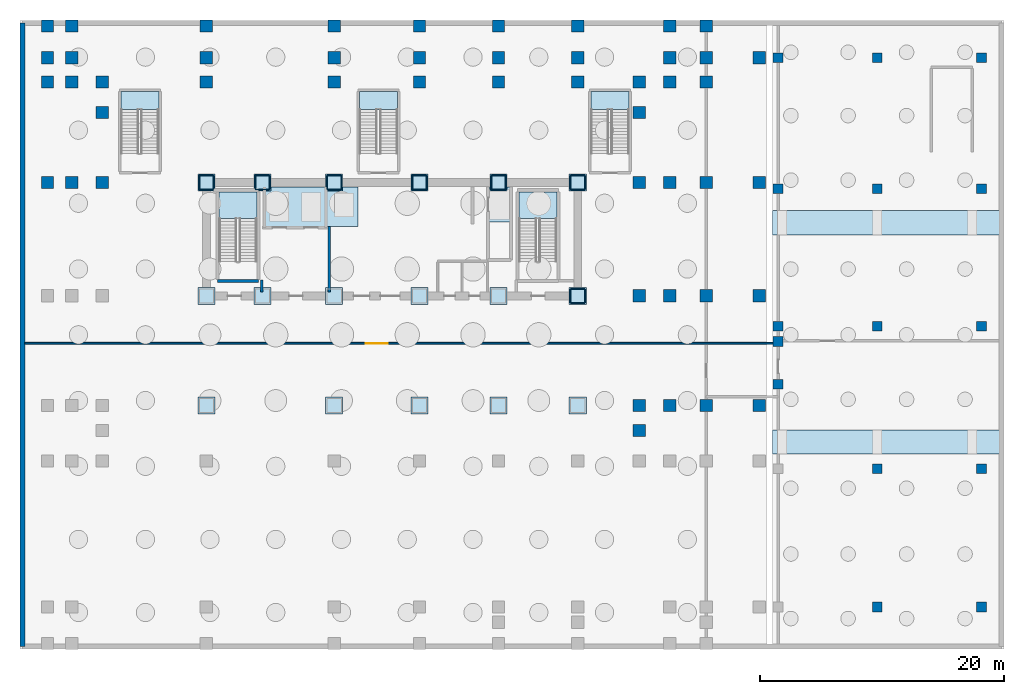
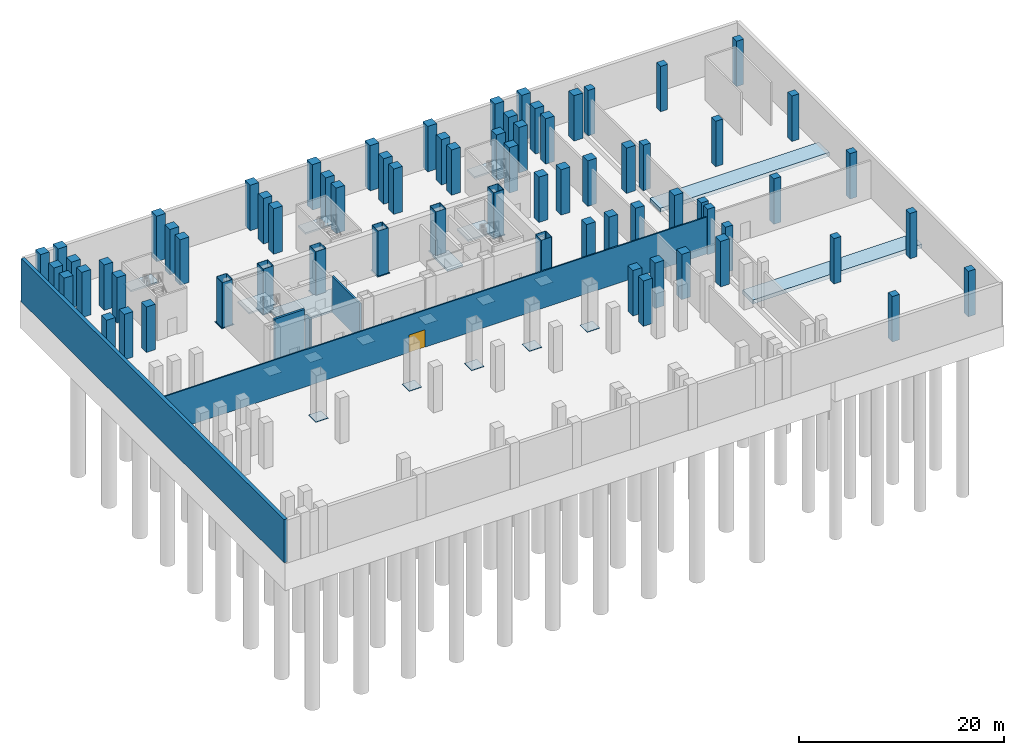
# One storey, part 2 of 8: 70 columns, 17 plates, 9 slabs, 5 walls, 1 door, 1 opening, 5 elements without a shape of their own.
"""IFC4 building model written with IfcOpenShell, lengths in metres."""

from ifc_helpers import new_model, si_unit, direction, frame, frame_2d, origin, origin_2d, place, context, subcontext, project, spatial, polyline, rectangle, hollow_rectangle, outline, extrude, material, layer, layer_set, material_profile, profile_set, type_object, element, fill, aggregate, save


model = new_model("IFC4")

# Units and contexts
model_context = context("Model", 3, precision=1e-05, world=origin(), true_north=direction((0.0, 1.0)))
body_context = subcontext(model_context, "Body", "Model", "MODEL_VIEW")
ifc_project = project(units=[si_unit("LENGTHUNIT", "METRE"), si_unit("AREAUNIT", "SQUARE_METRE"), si_unit("VOLUMEUNIT", "CUBIC_METRE"), si_unit("PLANEANGLEUNIT", "RADIAN"), si_unit("MASSUNIT", "GRAM", prefix="KILO")], contexts=[model_context])

# Site, building, storey
site_placement = place(None, origin())
site = spatial("IfcSite", under=ifc_project, at=site_placement, CompositionType="ELEMENT")
building_placement = place(site_placement, origin())
building = spatial("IfcBuilding", under=site, at=building_placement, Name="Noeulbin Bourse Tower", CompositionType="ELEMENT")
storey_placement = place(building_placement, frame((0.0, 0.0, -15.60009765625)))
storey = spatial("IfcBuildingStorey", under=building, at=storey_placement, Name="B03", CompositionType="ELEMENT", Elevation=-15.60009765625)

# Columns
ifc_material_1 = material(Name="Concrete C40/50", Category="concrete")
ifc_material_profile_1 = material_profile(ifc_material_1, rectangle(XDim=0.800048828125, YDim=0.800048828125, at=origin_2d()), Name="RC-COL-800x800", Category="LoadBearing")
ifc_profile_set_1 = profile_set([ifc_material_profile_1], Name="Concrete C40/50")
column_type_1 = type_object("IfcColumnType", Name="COL-MKT-RC", PredefinedType="COLUMN", material=ifc_profile_set_1)
for number, where, z_axis, x_axis, name in (
    (1, (60.449951171875, 21.75, 0.0), (0.0, 0.0, 1.0), (1.0, 0.0, 0.0), "Market Hall Column COL-MKT-RC 03"),
    (2, (60.449951171875, 25.25, 0.0), (0.0, 0.0, 1.0), (1.0, 0.0, 0.0), "Market Hall Column COL-MKT-RC 04"),
    (3, (60.449951171875, 26.5, 0.0), (0.0, 0.0, 1.0), (1.0, 0.0, 0.0), "Market Hall Column COL-MKT-RC 05"),
    (4, (60.449951171875, 37.800048828125, 0.0), (0.0, 0.0, 1.0), (1.0, 0.0, 0.0), "Market Hall Column COL-MKT-RC 06"),
    (5, (60.449951171875, 48.550048828125, 0.0), (0.0, 0.0, 1.0), (1.0, 0.0, 0.0), "Market Hall Column COL-MKT-RC 07"),
    (6, (68.60009765625, 3.449951171875, 0.0), (0.0, 0.0, 1.0), (1.0, 0.0, 0.0), "Market Hall Column COL-MKT-RC 08"),
    (7, (68.60009765625, 14.800048828125, 0.0), (0.0, 0.0, 1.0), (1.0, 0.0, 0.0), "Market Hall Column COL-MKT-RC 09"),
    (8, (68.60009765625, 26.5, 0.0), (0.0, 0.0, 1.0), (1.0, 0.0, 0.0), "Market Hall Column COL-MKT-RC 10"),
    (9, (68.60009765625, 37.800048828125, 0.0), (0.0, 0.0, 1.0), (1.0, 0.0, 0.0), "Market Hall Column COL-MKT-RC 11"),
    (10, (68.60009765625, 48.550048828125, 0.0), (0.0, 0.0, 1.0), (1.0, 0.0, 0.0), "Market Hall Column COL-MKT-RC 12"),
    (11, (77.14990234375, 3.449951171875, 0.0), (0.0, 0.0, 1.0), (1.0, 0.0, 0.0), "Market Hall Column COL-MKT-RC 13"),
    (12, (77.14990234375, 14.800048828125, 0.0), (0.0, 0.0, 1.0), (1.0, 0.0, 0.0), "Market Hall Column COL-MKT-RC 14"),
    (13, (77.14990234375, 26.5, 0.0), (0.0, 0.0, 1.0), (1.0, 0.0, 0.0), "Market Hall Column COL-MKT-RC 15"),
    (14, (77.14990234375, 37.800048828125, 0.0), (0.0, 0.0, 1.0), (1.0, 0.0, 0.0), "Market Hall Column COL-MKT-RC 16"),
    (15, (77.14990234375, 48.550048828125, 0.0), (0.0, 0.0, 1.0), (1.0, 0.0, 0.0), "Market Hall Column COL-MKT-RC 17"),
):
    element("IfcColumn", number, at=place(storey_placement, frame(where, z_axis=z_axis, x_axis=x_axis)), inside=storey, type_object=column_type_1, Name=name, PredefinedType="COLUMN", context=body_context, shape_type="SweptSolid", body=[
        extrude(rectangle(XDim=0.800048828125, YDim=0.800048828125, at=origin_2d()), origin(), (0.0, 0.0, 1.0), 5.400146484375),
    ])
ifc_material_2 = material(Name="Concrete C50/60", Category="concrete")
ifc_material_profile_2 = material_profile(ifc_material_2, rectangle(XDim=1.0, YDim=1.0, at=origin_2d()), Name="RC-COL-1000x1000", Category="LoadBearing")
ifc_profile_set_2 = profile_set([ifc_material_profile_2], Name="Concrete C50/60")
column_type_2 = type_object("IfcColumnType", Name="COL-STN-RC", PredefinedType="COLUMN", material=ifc_profile_set_2)
for number, where, z_axis, x_axis, name in (
    (16, (0.449951171875, 38.300048828125, 0.0), (0.0, 0.0, 1.0), (1.0, 0.0, 0.0), "Podium Column COL-STN-RC 06"),
    (17, (0.449951171875, 46.550048828125, 0.0), (0.0, 0.0, 1.0), (1.0, 0.0, 0.0), "Podium Column COL-STN-RC 07"),
    (18, (0.449951171875, 48.550048828125, 0.0), (0.0, 0.0, 1.0), (1.0, 0.0, 0.0), "Podium Column COL-STN-RC 08"),
    (19, (0.449951171875, 51.14990234375, 0.0), (0.0, 0.0, 1.0), (1.0, 0.0, 0.0), "Podium Column COL-STN-RC 09"),
    (20, (2.449951171875, 38.300048828125, 0.0), (0.0, 0.0, 1.0), (1.0, 0.0, 0.0), "Podium Column COL-STN-RC 15"),
    (21, (2.449951171875, 46.550048828125, 0.0), (0.0, 0.0, 1.0), (1.0, 0.0, 0.0), "Podium Column COL-STN-RC 16"),
    (22, (2.449951171875, 48.550048828125, 0.0), (0.0, 0.0, 1.0), (1.0, 0.0, 0.0), "Podium Column COL-STN-RC 17"),
    (23, (2.449951171875, 51.14990234375, 0.0), (0.0, 0.0, 1.0), (1.0, 0.0, 0.0), "Podium Column COL-STN-RC 18"),
    (24, (4.949951171875, 38.300048828125, 0.0), (0.0, 0.0, 1.0), (1.0, 0.0, 0.0), "Podium Column COL-STN-RC 23"),
    (25, (4.949951171875, 44.050048828125, 0.0), (0.0, 0.0, 1.0), (1.0, 0.0, 0.0), "Podium Column COL-STN-RC 24"),
    (26, (4.949951171875, 46.550048828125, 0.0), (0.0, 0.0, 1.0), (1.0, 0.0, 0.0), "Podium Column COL-STN-RC 25"),
    (27, (13.5, 46.550048828125, 0.0), (0.0, 0.0, 1.0), (1.0, 0.0, 0.0), "Podium Column COL-STN-RC 29"),
    (28, (13.5, 48.550048828125, 0.0), (0.0, 0.0, 1.0), (1.0, 0.0, 0.0), "Podium Column COL-STN-RC 30"),
    (29, (13.5, 51.14990234375, 0.0), (0.0, 0.0, 1.0), (1.0, 0.0, 0.0), "Podium Column COL-STN-RC 31"),
    (30, (24.0, 46.550048828125, 0.0), (0.0, 0.0, 1.0), (1.0, 0.0, 0.0), "Podium Column COL-STN-RC 35"),
    (31, (24.0, 48.550048828125, 0.0), (0.0, 0.0, 1.0), (1.0, 0.0, 0.0), "Podium Column COL-STN-RC 36"),
    (32, (24.0, 51.14990234375, 0.0), (0.0, 0.0, 1.0), (1.0, 0.0, 0.0), "Podium Column COL-STN-RC 37"),
    (33, (31.0, 46.550048828125, 0.0), (0.0, 0.0, 1.0), (1.0, 0.0, 0.0), "Podium Column COL-STN-RC 41"),
    (34, (31.0, 48.550048828125, 0.0), (0.0, 0.0, 1.0), (1.0, 0.0, 0.0), "Podium Column COL-STN-RC 42"),
    (35, (31.0, 51.14990234375, 0.0), (0.0, 0.0, 1.0), (1.0, 0.0, 0.0), "Podium Column COL-STN-RC 43"),
    (36, (37.5, 46.550048828125, 0.0), (0.0, 0.0, 1.0), (1.0, 0.0, 0.0), "Podium Column COL-STN-RC 48"),
    (37, (37.5, 48.550048828125, 0.0), (0.0, 0.0, 1.0), (1.0, 0.0, 0.0), "Podium Column COL-STN-RC 49"),
    (38, (37.5, 51.14990234375, 0.0), (0.0, 0.0, 1.0), (1.0, 0.0, 0.0), "Podium Column COL-STN-RC 50"),
    (39, (44.0, 46.550048828125, 0.0), (0.0, 0.0, 1.0), (1.0, 0.0, 0.0), "Podium Column COL-STN-RC 55"),
    (40, (44.0, 48.550048828125, 0.0), (0.0, 0.0, 1.0), (1.0, 0.0, 0.0), "Podium Column COL-STN-RC 56"),
    (41, (44.0, 51.14990234375, 0.0), (0.0, 0.0, 1.0), (1.0, 0.0, 0.0), "Podium Column COL-STN-RC 57"),
    (42, (49.050048828125, 17.949951171875, 0.0), (0.0, 0.0, 1.0), (1.0, 0.0, 0.0), "Podium Column COL-STN-RC 59"),
    (43, (49.050048828125, 20.0, 0.0), (0.0, 0.0, 1.0), (1.0, 0.0, 0.0), "Podium Column COL-STN-RC 60"),
    (44, (49.050048828125, 29.0, 0.0), (0.0, 0.0, 1.0), (1.0, 0.0, 0.0), "Podium Column COL-STN-RC 61"),
    (45, (49.050048828125, 38.300048828125, 0.0), (0.0, 0.0, 1.0), (1.0, 0.0, 0.0), "Podium Column COL-STN-RC 62"),
    (46, (49.050048828125, 44.050048828125, 0.0), (0.0, 0.0, 1.0), (1.0, 0.0, 0.0), "Podium Column COL-STN-RC 63"),
    (47, (49.050048828125, 46.550048828125, 0.0), (0.0, 0.0, 1.0), (1.0, 0.0, 0.0), "Podium Column COL-STN-RC 64"),
    (48, (51.550048828125, 20.0, 0.0), (0.0, 0.0, 1.0), (1.0, 0.0, 0.0), "Podium Column COL-STN-RC 68"),
    (49, (51.550048828125, 29.0, 0.0), (0.0, 0.0, 1.0), (1.0, 0.0, 0.0), "Podium Column COL-STN-RC 69"),
    (50, (51.550048828125, 38.300048828125, 0.0), (0.0, 0.0, 1.0), (1.0, 0.0, 0.0), "Podium Column COL-STN-RC 70"),
    (51, (51.550048828125, 46.550048828125, 0.0), (0.0, 0.0, 1.0), (1.0, 0.0, 0.0), "Podium Column COL-STN-RC 71"),
    (52, (51.550048828125, 48.550048828125, 0.0), (0.0, 0.0, 1.0), (1.0, 0.0, 0.0), "Podium Column COL-STN-RC 72"),
    (53, (51.550048828125, 51.14990234375, 0.0), (0.0, 0.0, 1.0), (1.0, 0.0, 0.0), "Podium Column COL-STN-RC 73"),
    (54, (54.550048828125, 20.0, 0.0), (0.0, 0.0, 1.0), (1.0, 0.0, 0.0), "Podium Column COL-STN-RC 78"),
    (55, (54.550048828125, 29.0, 0.0), (0.0, 0.0, 1.0), (1.0, 0.0, 0.0), "Podium Column COL-STN-RC 79"),
    (56, (54.550048828125, 38.300048828125, 0.0), (0.0, 0.0, 1.0), (1.0, 0.0, 0.0), "Podium Column COL-STN-RC 80"),
    (57, (54.550048828125, 46.550048828125, 0.0), (0.0, 0.0, 1.0), (1.0, 0.0, 0.0), "Podium Column COL-STN-RC 81"),
    (58, (54.550048828125, 48.550048828125, 0.0), (0.0, 0.0, 1.0), (1.0, 0.0, 0.0), "Podium Column COL-STN-RC 82"),
    (59, (54.550048828125, 51.14990234375, 0.0), (0.0, 0.0, 1.0), (1.0, 0.0, 0.0), "Podium Column COL-STN-RC 83"),
    (60, (58.89990234375, 20.0, 0.0), (0.0, 0.0, 1.0), (1.0, 0.0, 0.0), "Podium Column COL-STN-RC 86"),
    (61, (58.89990234375, 29.0, 0.0), (0.0, 0.0, 1.0), (1.0, 0.0, 0.0), "Podium Column COL-STN-RC 87"),
    (62, (58.89990234375, 38.300048828125, 0.0), (0.0, 0.0, 1.0), (1.0, 0.0, 0.0), "Podium Column COL-STN-RC 88"),
    (63, (58.89990234375, 48.550048828125, 0.0), (0.0, 0.0, 1.0), (1.0, 0.0, 0.0), "Podium Column COL-STN-RC 89"),
):
    element("IfcColumn", number, at=place(storey_placement, frame(where, z_axis=z_axis, x_axis=x_axis)), inside=storey, type_object=column_type_2, Name=name, PredefinedType="COLUMN", context=body_context, shape_type="SweptSolid", body=[
        extrude(rectangle(XDim=1.0, YDim=1.0, at=origin_2d()), origin(), (0.0, 0.0, 1.0), 5.400146484375),
    ])
ifc_material_3 = material(Name="Steel S460", Category="steel")
ifc_material_profile_3 = material_profile(ifc_material_3, hollow_rectangle(XDim=1.199951171875, YDim=1.199951171875, WallThickness=0.0400390625, InnerFilletRadius=0.02001953125, OuterFilletRadius=0.06005859375, at=origin_2d()), Name="BOX-1200x1200x40", Category="LoadBearing")
ifc_profile_set_3 = profile_set([ifc_material_profile_3], Name="Steel S460")
column_type_3 = type_object("IfcColumnType", Name="COL-TRK-Z0", PredefinedType="COLUMN", material=ifc_profile_set_3)
for number, where, z_axis, x_axis, name in (
    (64, (13.5, 38.300048828125, 0.0), (0.0, 0.0, 1.0), (1.0, 0.0, 0.0), "Tower Trunk Mega-Column COL-TRK-Z0 02"),
    (65, (18.10009765625, 38.300048828125, 0.0), (0.0, 0.0, 1.0), (1.0, 0.0, 0.0), "Tower Trunk Mega-Column COL-TRK-Z0 04"),
    (66, (24.0, 38.300048828125, 0.0), (0.0, 0.0, 1.0), (1.0, 0.0, 0.0), "Tower Trunk Mega-Column COL-TRK-Z0 06"),
    (67, (31.0, 38.300048828125, 0.0), (0.0, 0.0, 1.0), (1.0, 0.0, 0.0), "Tower Trunk Mega-Column COL-TRK-Z0 08"),
    (68, (37.5, 38.300048828125, 0.0), (0.0, 0.0, 1.0), (1.0, 0.0, 0.0), "Tower Trunk Mega-Column COL-TRK-Z0 10"),
    (69, (44.0, 29.0, 0.0), (0.0, 0.0, 1.0), (1.0, 0.0, 0.0), "Tower Trunk Mega-Column COL-TRK-Z0 11"),
    (70, (44.0, 38.300048828125, 0.0), (0.0, 0.0, 1.0), (1.0, 0.0, 0.0), "Tower Trunk Mega-Column COL-TRK-Z0 12"),
):
    element("IfcColumn", number, at=place(storey_placement, frame(where, z_axis=z_axis, x_axis=x_axis)), inside=storey, type_object=column_type_3, Name=name, PredefinedType="COLUMN", context=body_context, shape_type="SweptSolid", body=[
        extrude(hollow_rectangle(XDim=1.199951171875, YDim=1.199951171875, WallThickness=0.0400390625, InnerFilletRadius=0.02001953125, OuterFilletRadius=0.06005859375, at=origin_2d()), origin(), (0.0, 0.0, 1.0), 5.400146484375),
    ])

# Plates
ifc_layer_1 = layer(ifc_material_3, 0.0400390625)
ifc_layer_set_1 = layer_set([ifc_layer_1], Name="Steel S460")
plate_type = type_object("IfcPlateType", Name="PLT-TN1", PredefinedType="USERDEFINED", material=ifc_layer_set_1)
for number, where, z_axis, x_axis, name in (
    (71, (13.5, 29.0, 0.0), (0.0, 0.0, 1.0), (1.0, 0.0, 0.0), "Mega-Column Base Plate TN1-01"),
    (72, (13.5, 38.300048828125, 0.0), (0.0, 0.0, 1.0), (1.0, 0.0, 0.0), "Mega-Column Base Plate TN1-02"),
    (73, (18.10009765625, 29.0, 0.0), (0.0, 0.0, 1.0), (1.0, 0.0, 0.0), "Mega-Column Base Plate TN1-03"),
    (74, (18.10009765625, 38.300048828125, 0.0), (0.0, 0.0, 1.0), (1.0, 0.0, 0.0), "Mega-Column Base Plate TN1-04"),
    (75, (24.0, 29.0, 0.0), (0.0, 0.0, 1.0), (1.0, 0.0, 0.0), "Mega-Column Base Plate TN1-05"),
    (76, (24.0, 38.300048828125, 0.0), (0.0, 0.0, 1.0), (1.0, 0.0, 0.0), "Mega-Column Base Plate TN1-06"),
    (77, (31.0, 29.0, 0.0), (0.0, 0.0, 1.0), (1.0, 0.0, 0.0), "Mega-Column Base Plate TN1-07"),
    (78, (31.0, 38.300048828125, 0.0), (0.0, 0.0, 1.0), (1.0, 0.0, 0.0), "Mega-Column Base Plate TN1-08"),
    (79, (37.5, 29.0, 0.0), (0.0, 0.0, 1.0), (1.0, 0.0, 0.0), "Mega-Column Base Plate TN1-09"),
    (80, (37.5, 38.300048828125, 0.0), (0.0, 0.0, 1.0), (1.0, 0.0, 0.0), "Mega-Column Base Plate TN1-10"),
    (81, (44.0, 29.0, 0.0), (0.0, 0.0, 1.0), (1.0, 0.0, 0.0), "Mega-Column Base Plate TN1-11"),
    (82, (44.0, 38.300048828125, 0.0), (0.0, 0.0, 1.0), (1.0, 0.0, 0.0), "Mega-Column Base Plate TN1-12"),
    (83, (13.5, 20.0, 0.0), (0.0, 0.0, 1.0), (1.0, 0.0, 0.0), "Mega-Column Base Plate TN1-13"),
    (84, (24.0, 20.0, 0.0), (0.0, 0.0, 1.0), (1.0, 0.0, 0.0), "Mega-Column Base Plate TN1-14"),
    (85, (31.0, 20.0, 0.0), (0.0, 0.0, 1.0), (1.0, 0.0, 0.0), "Mega-Column Base Plate TN1-15"),
    (86, (37.5, 20.0, 0.0), (0.0, 0.0, 1.0), (1.0, 0.0, 0.0), "Mega-Column Base Plate TN1-16"),
    (87, (44.0, 20.0, 0.0), (0.0, 0.0, 1.0), (1.0, 0.0, 0.0), "Mega-Column Base Plate TN1-17"),
):
    element("IfcPlate", number, at=place(storey_placement, frame(where, z_axis=z_axis, x_axis=x_axis)), inside=storey, type_object=plate_type, Name=name, ObjectType="BASE PLATE", PredefinedType="USERDEFINED", context=body_context, shape_type="SweptSolid", body=[
        extrude(rectangle(XDim=1.39990234375, YDim=1.39990234375, at=origin_2d()), origin(), (0.0, 0.0, 1.0), 0.0400390625),
    ])

# Slabs
ifc_layer_2 = layer(ifc_material_2, 0.449951171875)
ifc_layer_set_2 = layer_set([ifc_layer_2], Name="Concrete C50/60")
slab_type_1 = type_object("IfcSlabType", Name="SLB-BASE-450", PredefinedType="BASESLAB", material=ifc_layer_set_2)
slab_1_placement = place(storey_placement, frame((0.0, 0.0, -0.449951171875)))
element("IfcSlab", 88, at=slab_1_placement, inside=storey, type_object=slab_type_1, Name="Station Base Slab SLB-B03-BASE2", PredefinedType="BASESLAB", context=body_context, shape_type="SweptSolid", body=[
    extrude(outline(polyline([(60.0, 16.0), (79.0, 16.0), (79.0, 18.0), (60.0, 18.0), (60.0, 16.0)])), origin(), (0.0, 0.0, 1.0), 0.449951171875),
])
slab_2_placement = place(storey_placement, frame((0.0, 0.0, -0.449951171875)))
element("IfcSlab", 89, at=slab_2_placement, inside=storey, type_object=slab_type_1, Name="Station Base Slab SLB-B03-BASE3", PredefinedType="BASESLAB", context=body_context, shape_type="SweptSolid", body=[
    extrude(outline(polyline([(60.0, 34.0), (79.0, 34.0), (79.0, 36.0), (60.0, 36.0), (60.0, 34.0)])), origin(), (0.0, 0.0, 1.0), 0.449951171875),
])

# Stair, slab
stair_type_1 = type_object("IfcStairType", Name="STR-CORE-1560", PredefinedType="HALF_TURN_STAIR", material=ifc_material_1)
stair_1_placement = place(storey_placement, origin())
stair_1 = element("IfcStair", 90, at=stair_1_placement, inside=storey, type_object=stair_type_1, Name="B03 ST-1", PredefinedType="HALF_TURN_STAIR")
ifc_layer_3 = layer(ifc_material_1, 0.199951171875)
ifc_layer_set_3 = layer_set([ifc_layer_3], Name="Concrete C40/50")
slab_type_2 = type_object("IfcSlabType", Name="SLB-LND-200", PredefinedType="LANDING", material=ifc_layer_set_3)
slab_3_placement = place(storey_placement, frame((0.0, 0.0, 2.5)))
slab_3 = element("IfcSlab", 91, at=slab_3_placement, type_object=slab_type_2, Name="ST-1 landing 1", PredefinedType="LANDING", context=body_context, shape_type="SweptSolid", body=[
    extrude(outline(polyline([(17.64990234375, 35.337890625), (17.64990234375, 37.5439453125), (14.550048828125, 37.5439453125), (14.550048828125, 35.337890625), (17.64990234375, 35.337890625)])), origin(), (0.0, 0.0, 1.0), 0.2001953125),
])
aggregate(stair_1, [slab_3])

stair_2_placement = place(storey_placement, origin())
stair_2 = element("IfcStair", 92, at=stair_2_placement, inside=storey, type_object=stair_type_1, Name="B03 ST-2", PredefinedType="HALF_TURN_STAIR")
slab_4_placement = place(storey_placement, frame((0.0, 0.0, 2.5)))
slab_4 = element("IfcSlab", 93, at=slab_4_placement, type_object=slab_type_2, Name="ST-2 landing 1", PredefinedType="LANDING", context=body_context, shape_type="SweptSolid", body=[
    extrude(outline(polyline([(42.280029296875, 35.337890625), (42.280029296875, 37.5439453125), (39.179931640625, 37.5439453125), (39.179931640625, 35.337890625), (42.280029296875, 35.337890625)])), origin(), (0.0, 0.0, 1.0), 0.2001953125),
])
aggregate(stair_2, [slab_4])

stair_type_2 = type_object("IfcStairType", Name="STR-AUX-1620", PredefinedType="HALF_TURN_STAIR", material=ifc_material_1)
stair_3_placement = place(storey_placement, origin())
stair_3 = element("IfcStair", 94, at=stair_3_placement, inside=storey, type_object=stair_type_2, Name="B03 ST-S1", PredefinedType="HALF_TURN_STAIR")
slab_5_placement = place(storey_placement, frame((0.0, 0.0, 2.5)))
slab_5 = element("IfcSlab", 95, at=slab_5_placement, type_object=slab_type_2, Name="ST-S1 landing 1", PredefinedType="LANDING", context=body_context, shape_type="SweptSolid", body=[
    extrude(outline(polyline([(9.60009765625, 44.320068359375), (9.60009765625, 45.780029296875), (6.47998046875, 45.780029296875), (6.47998046875, 44.320068359375), (9.60009765625, 44.320068359375)])), origin(), (0.0, 0.0, 1.0), 0.2001953125),
])
aggregate(stair_3, [slab_5])

stair_4_placement = place(storey_placement, origin())
stair_4 = element("IfcStair", 96, at=stair_4_placement, inside=storey, type_object=stair_type_2, Name="B03 ST-S2", PredefinedType="HALF_TURN_STAIR")
slab_6_placement = place(storey_placement, frame((0.0, 0.0, 2.5)))
slab_6 = element("IfcSlab", 97, at=slab_6_placement, type_object=slab_type_2, Name="ST-S2 landing 1", PredefinedType="LANDING", context=body_context, shape_type="SweptSolid", body=[
    extrude(outline(polyline([(29.199951171875, 44.320068359375), (29.199951171875, 45.780029296875), (26.080078125, 45.780029296875), (26.080078125, 44.320068359375), (29.199951171875, 44.320068359375)])), origin(), (0.0, 0.0, 1.0), 0.2001953125),
])
aggregate(stair_4, [slab_6])

stair_5_placement = place(storey_placement, origin())
stair_5 = element("IfcStair", 98, at=stair_5_placement, inside=storey, type_object=stair_type_2, Name="B03 ST-S3", PredefinedType="HALF_TURN_STAIR")
slab_7_placement = place(storey_placement, frame((0.0, 0.0, 2.5)))
slab_7 = element("IfcSlab", 99, at=slab_7_placement, type_object=slab_type_2, Name="ST-S3 landing 1", PredefinedType="LANDING", context=body_context, shape_type="SweptSolid", body=[
    extrude(outline(polyline([(48.199951171875, 44.320068359375), (48.199951171875, 45.780029296875), (45.080078125, 45.780029296875), (45.080078125, 44.320068359375), (48.199951171875, 44.320068359375)])), origin(), (0.0, 0.0, 1.0), 0.2001953125),
])
aggregate(stair_5, [slab_7])

# Slabs
ifc_layer_4 = layer(ifc_material_1, 0.280029296875)
ifc_layer_set_4 = layer_set([ifc_layer_4], Name="Concrete C40/50")
slab_type_3 = type_object("IfcSlabType", Name="SLB-SUB-280", PredefinedType="FLOOR", material=ifc_layer_set_4)
slab_8_placement = place(storey_placement, origin())
element("IfcSlab", 100, at=slab_8_placement, inside=storey, type_object=slab_type_3, Name="Elevator Pit Base Slab West B03", PredefinedType="FLOOR", context=body_context, shape_type="SweptSolid", body=[
    extrude(outline(polyline([(18.35009765625, 34.699951171875), (25.949951171875, 34.699951171875), (25.949951171875, 37.949951171875), (18.35009765625, 37.949951171875), (18.35009765625, 34.699951171875)])), origin(), (0.0, 0.0, 1.0), 0.2001953125),
])
slab_9_placement = place(storey_placement, origin())
element("IfcSlab", 101, at=slab_9_placement, inside=storey, type_object=slab_type_3, Name="Elevator Pit Base Slab East B03", PredefinedType="FLOOR", context=body_context, shape_type="SweptSolid", body=[
    extrude(outline(polyline([(36.699951171875, 35.050048828125), (38.449951171875, 35.050048828125), (38.449951171875, 37.949951171875), (36.699951171875, 37.949951171875), (36.699951171875, 35.050048828125)])), origin(), (0.0, 0.0, 1.0), 0.2001953125),
])

# Walls
ifc_layer_5 = layer(ifc_material_1, 0.199951171875)
ifc_layer_set_5 = layer_set([ifc_layer_5], Name="Concrete C40/50")
wall_type_1 = type_object("IfcWallType", Name="WAL-FIRE-200", PredefinedType="STANDARD", material=ifc_layer_set_5)
wall_1_placement = place(storey_placement, frame((18.050048828125, 29.3349609375, 0.0), z_axis=(0.0, 0.0, 1.0), x_axis=(0.0, 1.0, 0.0)))
element("IfcWall", 102, at=wall_1_placement, inside=storey, type_object=wall_type_1, Name="Interior Partition Wall B03-08", PredefinedType="STANDARD", context=body_context, shape_type="SweptSolid", body=[
    extrude(rectangle(XDim=0.965087890625, YDim=0.199951171875, at=frame_2d((0.482421875, 0.0))), origin(), (0.0, 0.0, 1.0), 4.300048828125),
])
wall_2_placement = place(storey_placement, frame((23.60009765625, 29.3349609375, 0.0), z_axis=(0.0, 0.0, 1.0), x_axis=(0.0, 1.0, 0.0)))
element("IfcWall", 103, at=wall_2_placement, inside=storey, type_object=wall_type_1, Name="Interior Partition Wall B03-10", PredefinedType="STANDARD", context=body_context, shape_type="SweptSolid", body=[
    extrude(rectangle(XDim=5.364990234375, YDim=0.199951171875, at=frame_2d((2.6826171875, 0.0))), origin(), (0.0, 0.0, 1.0), 4.300048828125),
])

# Wall, opening, door
ifc_material_4 = material(Name="Steel Stud Acoustic Gypsum Board", Category="steel")
ifc_layer_6 = layer(ifc_material_4, 0.14990234375)
ifc_layer_set_6 = layer_set([ifc_layer_6], Name="Steel Stud Acoustic Gypsum Board")
wall_type_2 = type_object("IfcWallType", Name="WAL-PRT-150", PredefinedType="PARTITIONING", material=ifc_layer_set_6)
wall_3_placement = place(storey_placement, frame((-1.39990234375, 25.10009765625, 0.0), z_axis=(0.0, 0.0, 1.0), x_axis=(1.0, 0.0, 0.0)))
wall_3 = element("IfcWall", 104, at=wall_3_placement, inside=storey, type_object=wall_type_2, Name="Interior Partition Wall B03-01", PredefinedType="PARTITIONING", context=body_context, shape_type="SweptSolid", body=[
    extrude(rectangle(XDim=61.849853515625, YDim=0.14990234375, at=frame_2d((30.9248046875, 0.0))), origin(), (0.0, 0.0, 1.0), 4.400146484375),
])
opening_placement = place(wall_3_placement, frame((28.0, 0.0, 0.0)))
opening = element("IfcOpeningElement", 105, at=opening_placement, cuts=wall_3, Name="Opening ID-18", PredefinedType="OPENING", context=body_context, shape_type="SweptSolid", body=[
    extrude(rectangle(XDim=1.800048828125, YDim=2.080078125, at=frame_2d((0.89990234375, 1.0400390625))), frame((0.0, 0.0849609375, 0.0), z_axis=(0.0, -1.0, 0.0), x_axis=(1.0, 0.0, 0.0)), (0.0, 0.0, 1.0), 0.169921875),
])
ifc_material_5 = material(Name="Fire-Rated Glazed Steel", Category="steel")
door_type = type_object("IfcDoorType", Name="DR-DBL-1800", OperationType="DOUBLE_DOOR_SINGLE_SWING", PredefinedType="DOOR", material=ifc_material_5)
door_placement = place(opening_placement, origin())
door = element("IfcDoor", 106, at=door_placement, inside=storey, type_object=door_type, Name="Interior Door B03-01", OperationType="DOUBLE_DOOR_SINGLE_SWING", OverallHeight=2.080078125, OverallWidth=1.800048828125, PredefinedType="DOOR", context=body_context, shape_type="SweptSolid", body=[
    extrude(rectangle(XDim=1.800048828125, YDim=2.080078125, at=frame_2d((0.89990234375, 1.0400390625))), frame((0.0, 0.02490234375, 0.0), z_axis=(0.0, -1.0, 0.0), x_axis=(1.0, 0.0, 0.0)), (0.0, 0.0, 1.0), 0.050048828125),
])
fill(opening, door)

# Walls
ifc_layer_7 = layer(ifc_material_2, 0.39990234375)
ifc_layer_set_7 = layer_set([ifc_layer_7], Name="Concrete C50/60")
wall_type_3 = type_object("IfcWallType", Name="WAL-RET-400", PredefinedType="SOLIDWALL", material=ifc_layer_set_7)
wall_4_placement = place(storey_placement, frame((-1.60009765625, 51.39990234375, 0.0), z_axis=(0.0, 0.0, 1.0), x_axis=(0.0, -1.0, 0.0)))
element("IfcWall", 107, at=wall_4_placement, inside=storey, type_object=wall_type_3, Name="Basement Perimeter Retaining Wall B03-W", PredefinedType="SOLIDWALL", context=body_context, shape_type="SweptSolid", body=[
    extrude(rectangle(XDim=51.199951171875, YDim=0.39990234375, at=frame_2d((25.60009765625, 0.0))), origin(), (0.0, 0.0, 1.0), 5.1201171875),
])
ifc_layer_8 = layer(ifc_material_1, 0.25)
ifc_layer_set_8 = layer_set([ifc_layer_8], Name="Concrete C40/50")
wall_type_4 = type_object("IfcWallType", Name="WAL-SHFT-250", PredefinedType="STANDARD", material=ifc_layer_set_8)
wall_5_placement = place(storey_placement, frame((14.429931640625, 30.235107421875, 0.0), z_axis=(0.0, 0.0, 1.0), x_axis=(1.0, 0.0, 0.0)))
element("IfcWall", 108, at=wall_5_placement, inside=storey, type_object=wall_type_4, Name="Stair ST-1 South Shaft Wall B03", PredefinedType="STANDARD", context=body_context, shape_type="SweptSolid", body=[
    extrude(rectangle(XDim=3.340087890625, YDim=0.25, at=frame_2d((1.669921875, 0.0))), origin(), (0.0, 0.0, 1.0), 5.1201171875),
])

save(model, "model.ifc")
